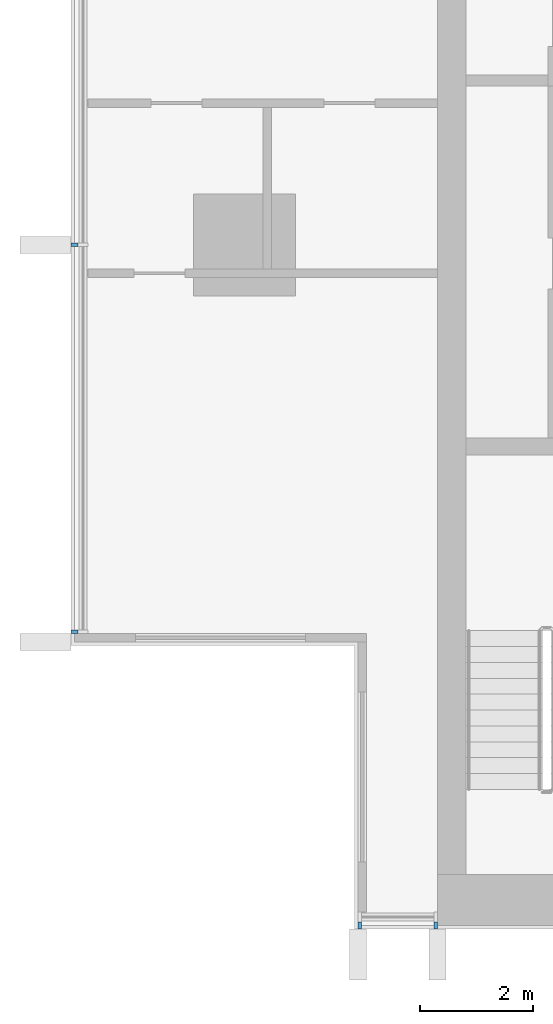
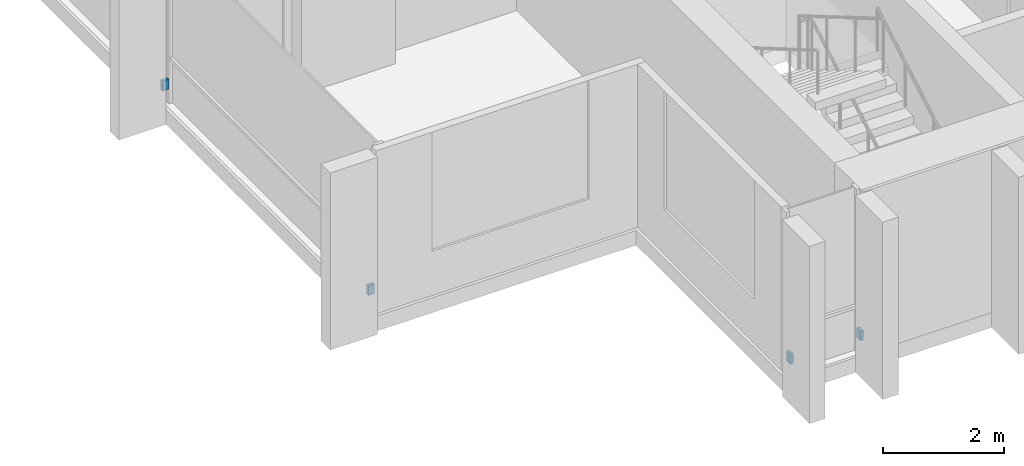
# One storey, part 12 of 16: 4 discrete accessories.
"""IFC4 building model written with IfcOpenShell, lengths in metres."""

from ifc_helpers import new_model, si_unit, direction, frame, origin, origin_2d, place, context, subcontext, project, spatial, rectangle, extrude, material, type_object, element, save


model = new_model("IFC4")

# Units and contexts
model_context = context("Model", 3, precision=1e-05, world=origin(), true_north=direction((0.0, 1.0)))
body_context = subcontext(model_context, "Body", "Model", "MODEL_VIEW")
ifc_project = project(units=[si_unit("LENGTHUNIT", "METRE"), si_unit("AREAUNIT", "SQUARE_METRE"), si_unit("VOLUMEUNIT", "CUBIC_METRE"), si_unit("PLANEANGLEUNIT", "RADIAN"), si_unit("MASSUNIT", "GRAM", prefix="KILO")], contexts=[model_context])

# Site, building, storey
site_placement = place(None, origin())
site = spatial("IfcSite", under=ifc_project, at=site_placement, CompositionType="ELEMENT")
building_placement = place(site_placement, origin())
building = spatial("IfcBuilding", under=site, at=building_placement, Name="Finial Court Residences", CompositionType="ELEMENT")
storey_placement = place(building_placement, frame((0.0, 0.0, 284.300048828125)))
storey = spatial("IfcBuildingStorey", under=building, at=storey_placement, Name="L72", CompositionType="ELEMENT", Elevation=284.300048828125)

# Discrete accessories
ifc_material = material(Name="Stainless steel 316", Category="steel")
discrete_accessory_type = type_object("IfcDiscreteAccessoryType", Name="Fin bracket, stainless steel 60 x 122 x 200", PredefinedType="BRACKET", material=ifc_material)
for number, where, z_axis, x_axis, name in (
    (1, (-14.469970703125, -25.498779296875, 0.2998046875), (0.0, 0.0, 1.0), (1.0, 0.0, 0.0), "E-L72-FIN-S13-BRK"),
    (2, (-13.1298828125, -25.498779296875, 0.2998046875), (0.0, 0.0, 1.0), (1.0, 0.0, 0.0), "E-L72-FIN-S14-BRK"),
):
    element("IfcDiscreteAccessory", number, at=place(storey_placement, frame(where, z_axis=z_axis, x_axis=x_axis)), inside=storey, type_object=discrete_accessory_type, Name=name, PredefinedType="BRACKET", context=body_context, shape_type="SweptSolid", body=[
        extrude(rectangle(XDim=0.06005859375, YDim=0.12255859375, at=origin_2d()), origin(), (0.0, 0.0, 1.0), 0.199951171875),
    ])
for number, where, z_axis, x_axis, name in (
    (3, (-19.498779296875, -20.320068359375, 0.2998046875), (0.0, 0.0, 1.0), (1.0, 0.0, 0.0), "E-L72-FIN-W21-BRK"),
    (4, (-19.498779296875, -13.5, 0.2998046875), (0.0, 0.0, 1.0), (1.0, 0.0, 0.0), "E-L72-FIN-W22-BRK"),
):
    element("IfcDiscreteAccessory", number, at=place(storey_placement, frame(where, z_axis=z_axis, x_axis=x_axis)), inside=storey, type_object=discrete_accessory_type, Name=name, PredefinedType="BRACKET", context=body_context, shape_type="SweptSolid", body=[
        extrude(rectangle(XDim=0.12255859375, YDim=0.06005859375, at=origin_2d()), origin(), (0.0, 0.0, 1.0), 0.199951171875),
    ])

save(model, "model.ifc")
